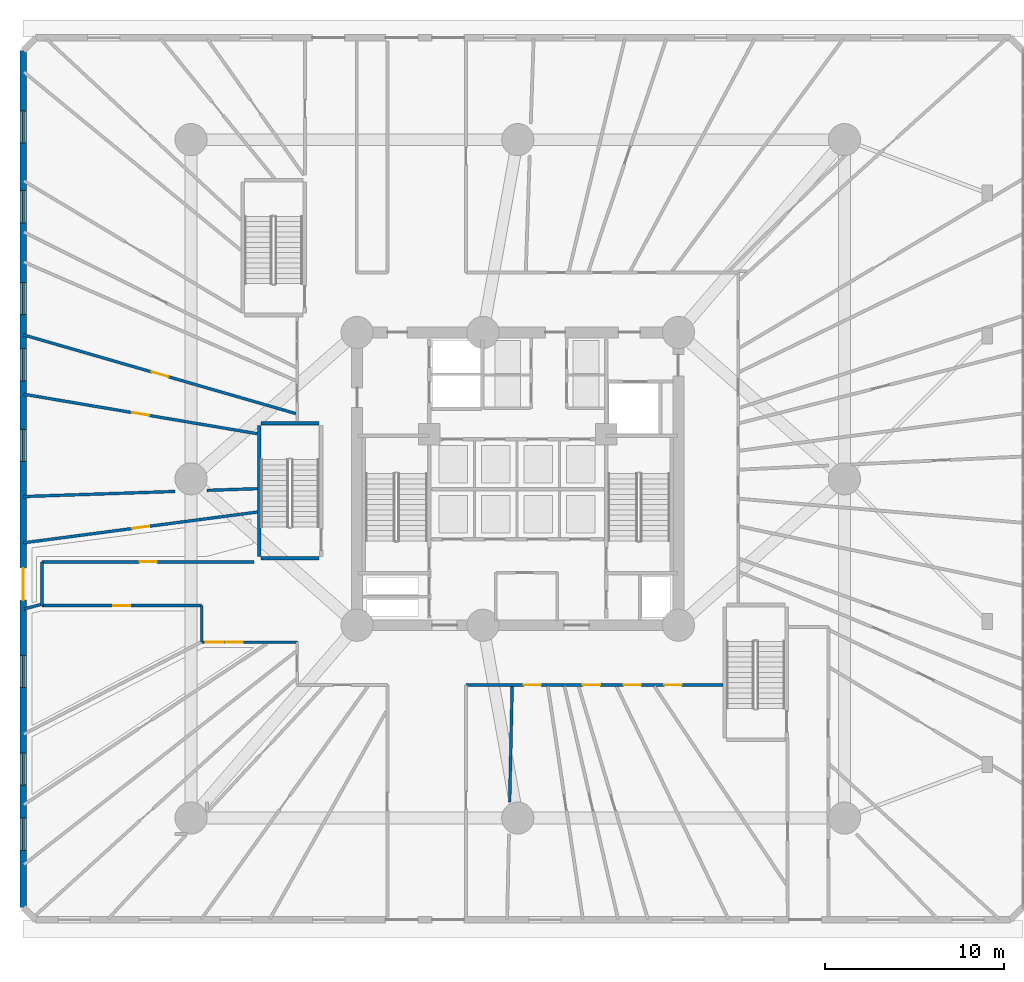
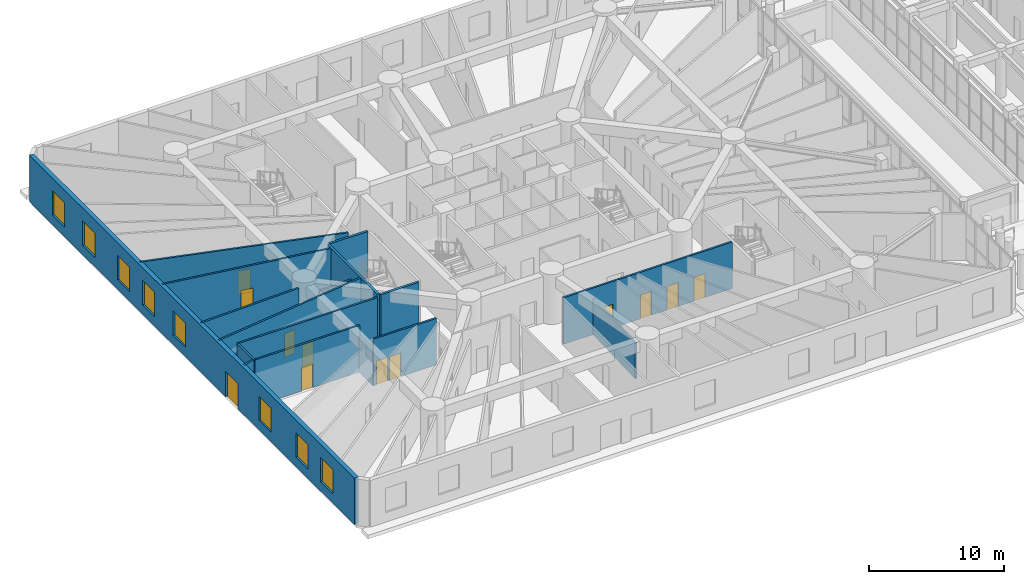
# One storey, part 14 of 30: 17 walls, 12 doors, 8 windows, 20 openings.
"""IFC4 building model written with IfcOpenShell, lengths in metres."""

from ifc_helpers import new_model, si_unit, direction, frame, frame_2d, origin, origin_with_axes, place, context, subcontext, project, spatial, rectangle, extrude, source, transform, mapped, material, layer, layer_set, type_object, element, fill, save


model = new_model("IFC4")

# Units and contexts
model_context = context("Model", 3, precision=1e-05, world=origin(), true_north=direction((0.0, 1.0)))
body_context = subcontext(model_context, "Body", "Model", "MODEL_VIEW")
ifc_project = project(units=[si_unit("LENGTHUNIT", "METRE"), si_unit("AREAUNIT", "SQUARE_METRE"), si_unit("VOLUMEUNIT", "CUBIC_METRE"), si_unit("PLANEANGLEUNIT", "RADIAN"), si_unit("MASSUNIT", "GRAM", prefix="KILO")], contexts=[model_context])

# Site, building, storey
site_placement = place(None, origin())
site = spatial("IfcSite", under=ifc_project, at=site_placement, CompositionType="ELEMENT")
building_placement = place(site_placement, origin())
building = spatial("IfcBuilding", under=site, at=building_placement, Name="Karkom Vertical University and Central Library", CompositionType="ELEMENT")
storey_placement = place(building_placement, origin())
storey = spatial("IfcBuildingStorey", under=building, at=storey_placement, Name="L00", CompositionType="ELEMENT", Elevation=0.0)

# Wall, openings, windows, door
ifc_material_1 = material(Name="Brick masonry 360mm insulated cavity", Category="masonry")
ifc_layer_1 = layer(ifc_material_1, 0.360107421875)
ifc_layer_set_1 = layer_set([ifc_layer_1], Name="Brick masonry 360mm insulated cavity")
wall_type_1 = type_object("IfcWallType", Name="ENV-WL-BRK-360", PredefinedType="SOLIDWALL", material=ifc_layer_set_1)
wall_1_placement = place(storey_placement, frame((0.800048828125, 2.5, 0.0), z_axis=(0.0, 0.0, 1.0), x_axis=(0.0, 1.0, 0.0)))
wall_1 = element("IfcWall", 1, at=wall_1_placement, inside=storey, type_object=wall_type_1, Name="Level 00 POD Terracotta Brick Facade Wall 07", PredefinedType="SOLIDWALL", context=body_context, shape_type="SweptSolid", body=[
    extrude(rectangle(XDim=48.0, YDim=0.360107421875, at=frame_2d((24.0, 0.0))), origin(), (0.0, 0.0, 1.0), 4.199951171875),
])
opening_1_placement = place(wall_1_placement, frame((42.816162109375, 0.0, 0.85009765625)))
opening_1 = element("IfcOpeningElement", 2, at=opening_1_placement, cuts=wall_1, Name="Opening WN-01", PredefinedType="OPENING", context=body_context, shape_type="SweptSolid", body=[
    extrude(rectangle(XDim=1.800048828125, YDim=2.199951171875, at=frame_2d((0.89990234375, 1.10009765625))), frame((0.0, 0.18994140625, 0.0), z_axis=(0.0, -1.0, 0.0), x_axis=(1.0, 0.0, 0.0)), (0.0, 0.0, 1.0), 0.380126953125),
])
opening_2_placement = place(wall_1_placement, frame((38.337890625, 0.0, 0.85009765625)))
opening_2 = element("IfcOpeningElement", 3, at=opening_2_placement, cuts=wall_1, Name="Opening WN-01", PredefinedType="OPENING", context=body_context, shape_type="SweptSolid", body=[
    extrude(rectangle(XDim=1.800048828125, YDim=2.199951171875, at=frame_2d((0.89990234375, 1.10009765625))), frame((0.0, 0.18994140625, 0.0), z_axis=(0.0, -1.0, 0.0), x_axis=(1.0, 0.0, 0.0)), (0.0, 0.0, 1.0), 0.380126953125),
])
opening_3_placement = place(wall_1_placement, frame((33.19384765625, 0.0, 0.85009765625)))
opening_3 = element("IfcOpeningElement", 4, at=opening_3_placement, cuts=wall_1, Name="Opening WN-01", PredefinedType="OPENING", context=body_context, shape_type="SweptSolid", body=[
    extrude(rectangle(XDim=1.800048828125, YDim=2.199951171875, at=frame_2d((0.89990234375, 1.10009765625))), frame((0.0, 0.18994140625, 0.0), z_axis=(0.0, -1.0, 0.0), x_axis=(1.0, 0.0, 0.0)), (0.0, 0.0, 1.0), 0.380126953125),
])
opening_4_placement = place(wall_1_placement, frame((29.491943359375, 0.0, 0.85009765625)))
opening_4 = element("IfcOpeningElement", 5, at=opening_4_placement, cuts=wall_1, Name="Opening WN-01", PredefinedType="OPENING", context=body_context, shape_type="SweptSolid", body=[
    extrude(rectangle(XDim=1.800048828125, YDim=2.199951171875, at=frame_2d((0.89990234375, 1.10009765625))), frame((0.0, 0.18994140625, 0.0), z_axis=(0.0, -1.0, 0.0), x_axis=(1.0, 0.0, 0.0)), (0.0, 0.0, 1.0), 0.380126953125),
])
opening_5_placement = place(wall_1_placement, frame((24.970947265625, 0.0, 0.85009765625)))
opening_5 = element("IfcOpeningElement", 6, at=opening_5_placement, cuts=wall_1, Name="Opening WN-01", PredefinedType="OPENING", context=body_context, shape_type="SweptSolid", body=[
    extrude(rectangle(XDim=1.800048828125, YDim=2.199951171875, at=frame_2d((0.89990234375, 1.10009765625))), frame((0.0, 0.18994140625, 0.0), z_axis=(0.0, -1.0, 0.0), x_axis=(1.0, 0.0, 0.0)), (0.0, 0.0, 1.0), 0.380126953125),
])
opening_6_placement = place(wall_1_placement, frame((12.314697265625, 0.0, 0.85009765625)))
opening_6 = element("IfcOpeningElement", 7, at=opening_6_placement, cuts=wall_1, Name="Opening WN-01", PredefinedType="OPENING", context=body_context, shape_type="SweptSolid", body=[
    extrude(rectangle(XDim=1.800048828125, YDim=2.199951171875, at=frame_2d((0.89990234375, 1.10009765625))), frame((0.0, 0.18994140625, 0.0), z_axis=(0.0, -1.0, 0.0), x_axis=(1.0, 0.0, 0.0)), (0.0, 0.0, 1.0), 0.380126953125),
])
opening_7_placement = place(wall_1_placement, frame((6.840576171875, 0.0, 0.85009765625)))
opening_7 = element("IfcOpeningElement", 8, at=opening_7_placement, cuts=wall_1, Name="Opening WN-01", PredefinedType="OPENING", context=body_context, shape_type="SweptSolid", body=[
    extrude(rectangle(XDim=1.800048828125, YDim=2.199951171875, at=frame_2d((0.89990234375, 1.10009765625))), frame((0.0, 0.18994140625, 0.0), z_axis=(0.0, -1.0, 0.0), x_axis=(1.0, 0.0, 0.0)), (0.0, 0.0, 1.0), 0.380126953125),
])
opening_8_placement = place(wall_1_placement, frame((3.189453125, 0.0, 0.85009765625)))
opening_8 = element("IfcOpeningElement", 9, at=opening_8_placement, cuts=wall_1, Name="Opening WN-01", PredefinedType="OPENING", context=body_context, shape_type="SweptSolid", body=[
    extrude(rectangle(XDim=1.800048828125, YDim=2.199951171875, at=frame_2d((0.89990234375, 1.10009765625))), frame((0.0, 0.18994140625, 0.0), z_axis=(0.0, -1.0, 0.0), x_axis=(1.0, 0.0, 0.0)), (0.0, 0.0, 1.0), 0.380126953125),
])
opening_9_placement = place(wall_1_placement, frame((17.199951171875, 0.0, 0.0)))
opening_9 = element("IfcOpeningElement", 10, at=opening_9_placement, cuts=wall_1, Name="Opening ED-1", PredefinedType="OPENING", context=body_context, shape_type="SweptSolid", body=[
    extrude(rectangle(XDim=1.800048828125, YDim=2.300048828125, at=frame_2d((0.89990234375, 1.14990234375))), frame((0.0, 0.18994140625, 0.0), z_axis=(0.0, -1.0, 0.0), x_axis=(1.0, 0.0, 0.0)), (0.0, 0.0, 1.0), 0.380126953125),
])
ifc_material_2 = material(Name="Aluminium thermal-break frame with solar-control IGU", Category="aluminium")
window_type = type_object("IfcWindowType", Name="ENV-WIN-WN-01", PartitioningType="SINGLE_PANEL", PredefinedType="WINDOW", material=ifc_material_2)
shared_shape_1 = source(origin_with_axes(), body_context, "Body", "SweptSolid", [
    extrude(rectangle(XDim=1.800048828125, YDim=2.199951171875, at=frame_2d((0.89990234375, 1.10009765625))), frame((0.0, 0.030029296875, 0.0), z_axis=(0.0, -1.0, 0.0), x_axis=(1.0, 0.0, 0.0)), (0.0, 0.0, 1.0), 0.06005859375),
])
window_1_placement = place(opening_1_placement, origin())
window_1 = element("IfcWindow", 11, at=window_1_placement, inside=storey, type_object=window_type, Name="Level 00 POD Punched Window 01", OverallHeight=2.199951171875, OverallWidth=1.800048828125, PartitioningType="SINGLE_PANEL", PredefinedType="WINDOW", context=body_context, shape_type="MappedRepresentation", body=[
    mapped(shared_shape_1, transform((0.0, 0.0, 0.0), scale=1.0)),
])
fill(opening_1, window_1)
window_2_placement = place(opening_2_placement, origin())
window_2 = element("IfcWindow", 12, at=window_2_placement, inside=storey, type_object=window_type, Name="Level 00 POD Punched Window 02", OverallHeight=2.199951171875, OverallWidth=1.800048828125, PartitioningType="SINGLE_PANEL", PredefinedType="WINDOW", context=body_context, shape_type="MappedRepresentation", body=[
    mapped(shared_shape_1, transform((0.0, 0.0, 0.0), scale=1.0)),
])
fill(opening_2, window_2)
window_3_placement = place(opening_3_placement, origin())
window_3 = element("IfcWindow", 13, at=window_3_placement, inside=storey, type_object=window_type, Name="Level 00 POD Punched Window 03", OverallHeight=2.199951171875, OverallWidth=1.800048828125, PartitioningType="SINGLE_PANEL", PredefinedType="WINDOW", context=body_context, shape_type="MappedRepresentation", body=[
    mapped(shared_shape_1, transform((0.0, 0.0, 0.0), scale=1.0)),
])
fill(opening_3, window_3)
window_4_placement = place(opening_4_placement, origin())
window_4 = element("IfcWindow", 14, at=window_4_placement, inside=storey, type_object=window_type, Name="Level 00 POD Punched Window 04", OverallHeight=2.199951171875, OverallWidth=1.800048828125, PartitioningType="SINGLE_PANEL", PredefinedType="WINDOW", context=body_context, shape_type="MappedRepresentation", body=[
    mapped(shared_shape_1, transform((0.0, 0.0, 0.0), scale=1.0)),
])
fill(opening_4, window_4)
window_5_placement = place(opening_5_placement, origin())
window_5 = element("IfcWindow", 15, at=window_5_placement, inside=storey, type_object=window_type, Name="Level 00 POD Punched Window 05", OverallHeight=2.199951171875, OverallWidth=1.800048828125, PartitioningType="SINGLE_PANEL", PredefinedType="WINDOW", context=body_context, shape_type="MappedRepresentation", body=[
    mapped(shared_shape_1, transform((0.0, 0.0, 0.0), scale=1.0)),
])
fill(opening_5, window_5)
window_6_placement = place(opening_6_placement, origin())
window_6 = element("IfcWindow", 16, at=window_6_placement, inside=storey, type_object=window_type, Name="Level 00 POD Punched Window 07", OverallHeight=2.199951171875, OverallWidth=1.800048828125, PartitioningType="SINGLE_PANEL", PredefinedType="WINDOW", context=body_context, shape_type="MappedRepresentation", body=[
    mapped(shared_shape_1, transform((0.0, 0.0, 0.0), scale=1.0)),
])
fill(opening_6, window_6)
window_7_placement = place(opening_7_placement, origin())
window_7 = element("IfcWindow", 17, at=window_7_placement, inside=storey, type_object=window_type, Name="Level 00 POD Punched Window 08", OverallHeight=2.199951171875, OverallWidth=1.800048828125, PartitioningType="SINGLE_PANEL", PredefinedType="WINDOW", context=body_context, shape_type="MappedRepresentation", body=[
    mapped(shared_shape_1, transform((0.0, 0.0, 0.0), scale=1.0)),
])
fill(opening_7, window_7)
window_8_placement = place(opening_8_placement, origin())
window_8 = element("IfcWindow", 18, at=window_8_placement, inside=storey, type_object=window_type, Name="Level 00 POD Punched Window 09", OverallHeight=2.199951171875, OverallWidth=1.800048828125, PartitioningType="SINGLE_PANEL", PredefinedType="WINDOW", context=body_context, shape_type="MappedRepresentation", body=[
    mapped(shared_shape_1, transform((0.0, 0.0, 0.0), scale=1.0)),
])
fill(opening_8, window_8)
ifc_material_3 = material(Name="Thermally broken glazed steel exit door", Category="steel")
door_type_1 = type_object("IfcDoorType", Name="ENV-DR-ED1", OperationType="DOUBLE_DOOR_SINGLE_SWING", PredefinedType="DOOR", material=ifc_material_3)
shared_shape_2 = source(origin_with_axes(), body_context, "Body", "SweptSolid", [
    extrude(rectangle(XDim=1.800048828125, YDim=2.300048828125, at=frame_2d((0.89990234375, 1.14990234375))), frame((0.0, 0.02490234375, 0.0), z_axis=(0.0, -1.0, 0.0), x_axis=(1.0, 0.0, 0.0)), (0.0, 0.0, 1.0), 0.050048828125),
])
door_1_placement = place(opening_9_placement, origin())
door_1 = element("IfcDoor", 19, at=door_1_placement, inside=storey, type_object=door_type_1, Name="Level 00 Final Ground Exit Door ED-05", OperationType="DOUBLE_DOOR_SINGLE_SWING", OverallHeight=2.300048828125, OverallWidth=1.800048828125, PredefinedType="DOOR", context=body_context, shape_type="MappedRepresentation", body=[
    mapped(shared_shape_2, transform((0.0, 0.0, 0.0), scale=1.0)),
])
fill(opening_9, door_1)

# Wall, opening, door
ifc_material_4 = material(Name="Insulated metal-stud drywall 160mm", Category="gypsum")
ifc_layer_2 = layer(ifc_material_4, 0.159912109375)
ifc_layer_set_2 = layer_set([ifc_layer_2], Name="Insulated metal-stud drywall 160mm")
wall_type_2 = type_object("IfcWallType", Name="INT-WL-COR-160", PredefinedType="PARTITIONING", material=ifc_layer_set_2)
wall_2_placement = place(storey_placement, frame((16.068115234375, 30.155517578125, 0.0), z_axis=(0.0, 0.0, 1.0), x_axis=(-0.960680893107, 0.277654860608, 0.0)))
wall_2 = element("IfcWall", 20, at=wall_2_placement, inside=storey, type_object=wall_type_2, Name="Level 00 Interior Partition Wall L00-PODW-48-49-1", PredefinedType="PARTITIONING", context=body_context, shape_type="SweptSolid", body=[
    extrude(rectangle(XDim=15.8642578125, YDim=0.159912109375, at=frame_2d((7.93212890625, 0.0))), origin(), (0.0, 0.0, 1.0), 4.199951171875),
])
opening_10_placement = place(wall_2_placement, frame((7.439697265625, 0.0, 0.0)))
opening_10 = element("IfcOpeningElement", 21, at=opening_10_placement, cuts=wall_2, Name="Opening FD-RM2", PredefinedType="OPENING", context=body_context, shape_type="SweptSolid", body=[
    extrude(rectangle(XDim=0.9599609375, YDim=2.14990234375, at=frame_2d((0.47998046875, 1.074951171875))), frame((0.0, 0.08984375, 0.0), z_axis=(0.0, -1.0, 0.0), x_axis=(1.0, 0.0, 0.0)), (0.0, 0.0, 1.0), 0.179931640625),
])
ifc_material_5 = material(Name="Fire-rated oak veneer door", Category="wood")
door_type_2 = type_object("IfcDoorType", Name="INT-DR-FRM2", OperationType="NOTDEFINED", PredefinedType="DOOR", material=ifc_material_5)
shared_shape_3 = source(origin_with_axes(), body_context, "Body", "SweptSolid", [
    extrude(rectangle(XDim=0.9599609375, YDim=2.14990234375, at=frame_2d((0.47998046875, 1.074951171875))), frame((0.0, 0.02490234375, 0.0), z_axis=(0.0, -1.0, 0.0), x_axis=(1.0, 0.0, 0.0)), (0.0, 0.0, 1.0), 0.050048828125),
])
door_2_placement = place(opening_10_placement, origin())
door_2 = element("IfcDoor", 22, at=door_2_placement, inside=storey, type_object=door_type_2, Name="Level 00 Room Entry Door 848", OperationType="SINGLE_SWING_LEFT", OverallHeight=2.14990234375, OverallWidth=0.9599609375, PredefinedType="DOOR", context=body_context, shape_type="MappedRepresentation", body=[
    mapped(shared_shape_3, transform((0.0, 0.0, 0.0), scale=1.0)),
])
fill(opening_10, door_2)

wall_3_placement = place(storey_placement, frame((13.9130859375, 29.02685546875, 0.0), z_axis=(0.0, 0.0, 1.0), x_axis=(-0.986009968188, 0.166686360073, 0.0)))
wall_3 = element("IfcWall", 23, at=wall_3_placement, inside=storey, type_object=wall_type_2, Name="Level 00 Interior Partition Wall L00-PODW-49-50-1", PredefinedType="PARTITIONING", context=body_context, shape_type="SweptSolid", body=[
    extrude(rectangle(XDim=13.27294921875, YDim=0.159912109375, at=frame_2d((6.636474609375, 0.0))), origin(), (0.0, 0.0, 1.0), 4.199951171875),
])
opening_11_placement = place(wall_3_placement, frame((6.143798828125, 0.0, 0.0)))
opening_11 = element("IfcOpeningElement", 24, at=opening_11_placement, cuts=wall_3, Name="Opening FD-RM2", PredefinedType="OPENING", context=body_context, shape_type="SweptSolid", body=[
    extrude(rectangle(XDim=0.9599609375, YDim=2.14990234375, at=frame_2d((0.47998046875, 1.074951171875))), frame((0.0, 0.08984375, 0.0), z_axis=(0.0, -1.0, 0.0), x_axis=(1.0, 0.0, 0.0)), (0.0, 0.0, 1.0), 0.179931640625),
])
door_3_placement = place(opening_11_placement, origin())
door_3 = element("IfcDoor", 25, at=door_3_placement, inside=storey, type_object=door_type_2, Name="Level 00 Room Entry Door 849", OperationType="SINGLE_SWING_RIGHT", OverallHeight=2.14990234375, OverallWidth=0.9599609375, PredefinedType="DOOR", context=body_context, shape_type="MappedRepresentation", body=[
    mapped(shared_shape_3, transform((0.0, 0.0, 0.0), scale=1.0)),
])
fill(opening_11, door_3)

wall_4_placement = place(storey_placement, frame((13.9130859375, 24.64013671875, 0.0), z_axis=(0.0, 0.0, 1.0), x_axis=(-0.991443338572, -0.130537758528, 0.0)))
wall_4 = element("IfcWall", 26, at=wall_4_placement, inside=storey, type_object=wall_type_2, Name="Level 00 Interior Partition Wall L00-PODW-01-02-1", PredefinedType="PARTITIONING", context=body_context, shape_type="SweptSolid", body=[
    extrude(rectangle(XDim=13.200439453125, YDim=0.159912109375, at=frame_2d((6.60009765625, 0.0))), origin(), (0.0, 0.0, 1.0), 4.199951171875),
])
opening_12_placement = place(wall_4_placement, frame((6.107666015625, 0.0, 0.0)))
opening_12 = element("IfcOpeningElement", 27, at=opening_12_placement, cuts=wall_4, Name="Opening FD-RM1", PredefinedType="OPENING", context=body_context, shape_type="SweptSolid", body=[
    extrude(rectangle(XDim=0.9599609375, YDim=2.14990234375, at=frame_2d((0.47998046875, 1.074951171875))), frame((0.0, 0.08984375, 0.0), z_axis=(0.0, -1.0, 0.0), x_axis=(1.0, 0.0, 0.0)), (0.0, 0.0, 1.0), 0.179931640625),
])
door_type_3 = type_object("IfcDoorType", Name="INT-DR-FRM1", OperationType="NOTDEFINED", PredefinedType="DOOR", material=ifc_material_5)
door_4_placement = place(opening_12_placement, origin())
door_4 = element("IfcDoor", 28, at=door_4_placement, inside=storey, type_object=door_type_3, Name="Level 00 Room Entry Door 800", OperationType="SINGLE_SWING_RIGHT", OverallHeight=2.14990234375, OverallWidth=0.9599609375, PredefinedType="DOOR", context=body_context, shape_type="MappedRepresentation", body=[
    mapped(shared_shape_3, transform((0.0, 0.0, 0.0), scale=1.0)),
])
fill(opening_12, door_4)

# Walls
wall_5_placement = place(storey_placement, frame((0.824951171875, 25.507568359375, 0.0), z_axis=(0.0, 0.0, 1.0), x_axis=(0.999432873897, 0.033673885638, 0.0)))
element("IfcWall", 29, at=wall_5_placement, inside=storey, type_object=wall_type_2, Name="Level 00 Interior Partition Wall L00-PODW-01-50-1", PredefinedType="PARTITIONING", context=body_context, shape_type="SweptSolid", body=[
    extrude(rectangle(XDim=8.489990234375, YDim=0.159912109375, at=frame_2d((4.2451171875, 0.0))), origin(), (0.0, 0.0, 1.0), 4.199951171875),
])
wall_6_placement = place(storey_placement, frame((28.1875, 14.867919921875, 0.0), z_axis=(0.0, 0.0, 1.0), x_axis=(-0.021740545111, -0.999763646418, 0.0)))
element("IfcWall", 30, at=wall_6_placement, inside=storey, type_object=wall_type_2, Name="Level 00 Interior Partition Wall L00-PODW-11-12-1", PredefinedType="PARTITIONING", context=body_context, shape_type="SweptSolid", body=[
    extrude(rectangle(XDim=6.4794921875, YDim=0.159912109375, at=frame_2d((3.23974609375, 0.0))), origin(), (0.0, 0.0, 1.0), 3.25),
])
wall_7_placement = place(storey_placement, frame((11.090087890625, 25.853515625, 0.0), z_axis=(0.0, 0.0, 1.0), x_axis=(0.999434594921, 0.033622767225, 0.0)))
element("IfcWall", 31, at=wall_7_placement, inside=storey, type_object=wall_type_2, Name="Level 00 Interior Partition Wall L00-PODW-01-50-2", PredefinedType="PARTITIONING", context=body_context, shape_type="SweptSolid", body=[
    extrude(rectangle(XDim=2.82470703125, YDim=0.159912109375, at=frame_2d((1.412353515625, 0.0))), origin(), (0.0, 0.0, 1.0), 3.25),
])
wall_8_placement = place(storey_placement, frame((1.76806640625, 19.4560546875, 0.0), z_axis=(0.0, 0.0, 1.0), x_axis=(-0.966407427341, -0.257014949721, 0.0)))
element("IfcWall", 32, at=wall_8_placement, inside=storey, type_object=wall_type_2, Name="Level 00 Interior Partition Wall L00-PODW-02-03-1", PredefinedType="PARTITIONING", context=body_context, shape_type="SweptSolid", body=[
    extrude(rectangle(XDim=0.9384765625, YDim=0.159912109375, at=frame_2d((0.46923828125, 0.0))), origin(), (0.0, 0.0, 1.0), 4.199951171875),
])

# Wall, openings, doors
ifc_layer_3 = layer(ifc_material_4, 0.159912109375)
ifc_layer_set_3 = layer_set([ifc_layer_3], Name="Insulated metal-stud drywall 160mm")
wall_type_3 = type_object("IfcWallType", Name="INT-WL-COR-160F", PredefinedType="PARTITIONING", material=ifc_layer_set_3)
wall_9_placement = place(storey_placement, frame((39.988037109375, 14.949951171875, 0.0), z_axis=(0.0, 0.0, 1.0), x_axis=(-1.0, 0.0, 0.0)))
wall_9 = element("IfcWall", 33, at=wall_9_placement, inside=storey, type_object=wall_type_3, Name="Level 00 Interior Partition Wall L00-PDCW-CW-010", PredefinedType="PARTITIONING", context=body_context, shape_type="SweptSolid", body=[
    extrude(rectangle(XDim=14.387939453125, YDim=0.159912109375, at=frame_2d((7.19384765625, 0.0))), origin(), (0.0, 0.0, 1.0), 4.199951171875),
])
opening_13_placement = place(wall_9_placement, frame((10.18994140625, 0.0, 0.0)))
opening_13 = element("IfcOpeningElement", 34, at=opening_13_placement, cuts=wall_9, Name="Opening FD-RM2", PredefinedType="OPENING", context=body_context, shape_type="SweptSolid", body=[
    extrude(rectangle(XDim=0.9599609375, YDim=2.14990234375, at=frame_2d((0.47998046875, 1.074951171875))), frame((0.0, 0.08984375, 0.0), z_axis=(0.0, -1.0, 0.0), x_axis=(1.0, 0.0, 0.0)), (0.0, 0.0, 1.0), 0.179931640625),
])
opening_14_placement = place(wall_9_placement, frame((6.8779296875, 0.0, 0.0)))
opening_14 = element("IfcOpeningElement", 35, at=opening_14_placement, cuts=wall_9, Name="Opening FD-RM2", PredefinedType="OPENING", context=body_context, shape_type="SweptSolid", body=[
    extrude(rectangle(XDim=0.9599609375, YDim=2.14990234375, at=frame_2d((0.47998046875, 1.074951171875))), frame((0.0, 0.08984375, 0.0), z_axis=(0.0, -1.0, 0.0), x_axis=(1.0, 0.0, 0.0)), (0.0, 0.0, 1.0), 0.179931640625),
])
opening_15_placement = place(wall_9_placement, frame((4.594970703125, 0.0, 0.0)))
opening_15 = element("IfcOpeningElement", 36, at=opening_15_placement, cuts=wall_9, Name="Opening FD-RM2", PredefinedType="OPENING", context=body_context, shape_type="SweptSolid", body=[
    extrude(rectangle(XDim=0.9599609375, YDim=2.14990234375, at=frame_2d((0.47998046875, 1.074951171875))), frame((0.0, 0.08984375, 0.0), z_axis=(0.0, -1.0, 0.0), x_axis=(1.0, 0.0, 0.0)), (0.0, 0.0, 1.0), 0.179931640625),
])
opening_16_placement = place(wall_9_placement, frame((2.31201171875, 0.0, 0.0)))
opening_16 = element("IfcOpeningElement", 37, at=opening_16_placement, cuts=wall_9, Name="Opening FD-RM2", PredefinedType="OPENING", context=body_context, shape_type="SweptSolid", body=[
    extrude(rectangle(XDim=0.9599609375, YDim=2.14990234375, at=frame_2d((0.47998046875, 1.074951171875))), frame((0.0, 0.08984375, 0.0), z_axis=(0.0, -1.0, 0.0), x_axis=(1.0, 0.0, 0.0)), (0.0, 0.0, 1.0), 0.179931640625),
])
door_5_placement = place(opening_13_placement, origin())
door_5 = element("IfcDoor", 38, at=door_5_placement, inside=storey, type_object=door_type_2, Name="Level 00 Room Entry Door 811", OperationType="SINGLE_SWING_RIGHT", OverallHeight=2.14990234375, OverallWidth=0.9599609375, PredefinedType="DOOR", context=body_context, shape_type="MappedRepresentation", body=[
    mapped(shared_shape_3, transform((0.0, 0.0, 0.0), scale=1.0)),
])
fill(opening_13, door_5)
door_6_placement = place(opening_14_placement, origin())
door_6 = element("IfcDoor", 39, at=door_6_placement, inside=storey, type_object=door_type_2, Name="Level 00 Room Entry Door 812", OperationType="SINGLE_SWING_LEFT", OverallHeight=2.14990234375, OverallWidth=0.9599609375, PredefinedType="DOOR", context=body_context, shape_type="MappedRepresentation", body=[
    mapped(shared_shape_3, transform((0.0, 0.0, 0.0), scale=1.0)),
])
fill(opening_14, door_6)
door_7_placement = place(opening_15_placement, origin())
door_7 = element("IfcDoor", 40, at=door_7_placement, inside=storey, type_object=door_type_2, Name="Level 00 Room Entry Door 814", OperationType="SINGLE_SWING_LEFT", OverallHeight=2.14990234375, OverallWidth=0.9599609375, PredefinedType="DOOR", context=body_context, shape_type="MappedRepresentation", body=[
    mapped(shared_shape_3, transform((0.0, 0.0, 0.0), scale=1.0)),
])
fill(opening_15, door_7)
door_8_placement = place(opening_16_placement, origin())
door_8 = element("IfcDoor", 41, at=door_8_placement, inside=storey, type_object=door_type_2, Name="Level 00 Room Entry Door 815", OperationType="SINGLE_SWING_RIGHT", OverallHeight=2.14990234375, OverallWidth=0.9599609375, PredefinedType="DOOR", context=body_context, shape_type="MappedRepresentation", body=[
    mapped(shared_shape_3, transform((0.0, 0.0, 0.0), scale=1.0)),
])
fill(opening_16, door_8)

# Wall, opening, door
wall_10_placement = place(storey_placement, frame((1.85009765625, 21.85009765625, 0.0), z_axis=(0.0, 0.0, 1.0), x_axis=(1.0, 0.0, 0.0)))
wall_10 = element("IfcWall", 42, at=wall_10_placement, inside=storey, type_object=wall_type_3, Name="Level 00 Interior Partition Wall L00-PDCW-CW-001", PredefinedType="PARTITIONING", context=body_context, shape_type="SweptSolid", body=[
    extrude(rectangle(XDim=11.889892578125, YDim=0.159912109375, at=frame_2d((5.94482421875, 0.0))), origin(), (0.0, 0.0, 1.0), 4.199951171875),
])
opening_17_placement = place(wall_10_placement, frame((5.469970703125, 0.0, 0.0)))
opening_17 = element("IfcOpeningElement", 43, at=opening_17_placement, cuts=wall_10, Name="Opening FD-RM2", PredefinedType="OPENING", context=body_context, shape_type="SweptSolid", body=[
    extrude(rectangle(XDim=0.9599609375, YDim=2.14990234375, at=frame_2d((0.47998046875, 1.074951171875))), frame((0.0, 0.08984375, 0.0), z_axis=(0.0, -1.0, 0.0), x_axis=(1.0, 0.0, 0.0)), (0.0, 0.0, 1.0), 0.179931640625),
])
door_9_placement = place(opening_17_placement, origin())
door_9 = element("IfcDoor", 44, at=door_9_placement, inside=storey, type_object=door_type_2, Name="Level 00 Room Entry Door 801", OperationType="SINGLE_SWING_LEFT", OverallHeight=2.14990234375, OverallWidth=0.9599609375, PredefinedType="DOOR", context=body_context, shape_type="MappedRepresentation", body=[
    mapped(shared_shape_3, transform((0.0, 0.0, 0.0), scale=1.0)),
])
fill(opening_17, door_9)

wall_11_placement = place(storey_placement, frame((10.800048828125, 19.39990234375, 0.0), z_axis=(0.0, 0.0, 1.0), x_axis=(-1.0, 0.0, 0.0)))
wall_11 = element("IfcWall", 45, at=wall_11_placement, inside=storey, type_object=wall_type_3, Name="Level 00 Interior Partition Wall L00-PDCW-CW-017", PredefinedType="PARTITIONING", context=body_context, shape_type="SweptSolid", body=[
    extrude(rectangle(XDim=8.949951171875, YDim=0.159912109375, at=frame_2d((4.47509765625, 0.0))), origin(), (0.0, 0.0, 1.0), 4.199951171875),
])
opening_18_placement = place(wall_11_placement, frame((4.0, 0.0, 0.0)))
opening_18 = element("IfcOpeningElement", 46, at=opening_18_placement, cuts=wall_11, Name="Opening FD-RM2", PredefinedType="OPENING", context=body_context, shape_type="SweptSolid", body=[
    extrude(rectangle(XDim=0.9599609375, YDim=2.14990234375, at=frame_2d((0.47998046875, 1.074951171875))), frame((0.0, 0.08984375, 0.0), z_axis=(0.0, -1.0, 0.0), x_axis=(1.0, 0.0, 0.0)), (0.0, 0.0, 1.0), 0.179931640625),
])
door_10_placement = place(opening_18_placement, origin())
door_10 = element("IfcDoor", 47, at=door_10_placement, inside=storey, type_object=door_type_2, Name="Level 00 Room Entry Door 802", OperationType="SINGLE_SWING_RIGHT", OverallHeight=2.14990234375, OverallWidth=0.9599609375, PredefinedType="DOOR", context=body_context, shape_type="MappedRepresentation", body=[
    mapped(shared_shape_3, transform((0.0, 0.0, 0.0), scale=1.0)),
])
fill(opening_18, door_10)

# Wall, openings, doors
wall_12_placement = place(storey_placement, frame((16.14990234375, 17.35009765625, 0.0), z_axis=(0.0, 0.0, 1.0), x_axis=(-1.0, 0.0, 0.0)))
wall_12 = element("IfcWall", 48, at=wall_12_placement, inside=storey, type_object=wall_type_3, Name="Level 00 Interior Partition Wall L00-PDCW-CW-015", PredefinedType="PARTITIONING", context=body_context, shape_type="SweptSolid", body=[
    extrude(rectangle(XDim=5.349853515625, YDim=0.159912109375, at=frame_2d((2.6748046875, 0.0))), origin(), (0.0, 0.0, 1.0), 4.199951171875),
])
opening_19_placement = place(wall_12_placement, frame((3.0400390625, 0.0, 0.0)))
opening_19 = element("IfcOpeningElement", 49, at=opening_19_placement, cuts=wall_12, Name="Opening FD-RM2", PredefinedType="OPENING", context=body_context, shape_type="SweptSolid", body=[
    extrude(rectangle(XDim=0.9599609375, YDim=2.14990234375, at=frame_2d((0.47998046875, 1.074951171875))), frame((0.0, 0.08984375, 0.0), z_axis=(0.0, -1.0, 0.0), x_axis=(1.0, 0.0, 0.0)), (0.0, 0.0, 1.0), 0.179931640625),
])
opening_20_placement = place(wall_12_placement, frame((4.152587890625, 0.0, 0.0)))
opening_20 = element("IfcOpeningElement", 50, at=opening_20_placement, cuts=wall_12, Name="Opening FD-RM2", PredefinedType="OPENING", context=body_context, shape_type="SweptSolid", body=[
    extrude(rectangle(XDim=0.9599609375, YDim=2.14990234375, at=frame_2d((0.47998046875, 1.074951171875))), frame((0.0, 0.08984375, 0.0), z_axis=(0.0, -1.0, 0.0), x_axis=(1.0, 0.0, 0.0)), (0.0, 0.0, 1.0), 0.179931640625),
])
door_11_placement = place(opening_19_placement, origin())
door_11 = element("IfcDoor", 51, at=door_11_placement, inside=storey, type_object=door_type_2, Name="Level 00 Room Entry Door 803", OperationType="SINGLE_SWING_LEFT", OverallHeight=2.14990234375, OverallWidth=0.9599609375, PredefinedType="DOOR", context=body_context, shape_type="MappedRepresentation", body=[
    mapped(shared_shape_3, transform((0.0, 0.0, 0.0), scale=1.0)),
])
fill(opening_19, door_11)
door_12_placement = place(opening_20_placement, origin())
door_12 = element("IfcDoor", 52, at=door_12_placement, inside=storey, type_object=door_type_2, Name="Level 00 Room Entry Door 804", OperationType="SINGLE_SWING_RIGHT", OverallHeight=2.14990234375, OverallWidth=0.9599609375, PredefinedType="DOOR", context=body_context, shape_type="MappedRepresentation", body=[
    mapped(shared_shape_3, transform((0.0, 0.0, 0.0), scale=1.0)),
])
fill(opening_20, door_12)

# Walls
wall_13_placement = place(storey_placement, frame((1.85009765625, 19.39990234375, 0.0), z_axis=(0.0, 0.0, 1.0), x_axis=(0.0, 1.0, 0.0)))
element("IfcWall", 53, at=wall_13_placement, inside=storey, type_object=wall_type_3, Name="Level 00 Interior Partition Wall L00-PDCW-CW-018", PredefinedType="PARTITIONING", context=body_context, shape_type="SweptSolid", body=[
    extrude(rectangle(XDim=2.4501953125, YDim=0.159912109375, at=frame_2d((1.22509765625, 0.0))), origin(), (0.0, 0.0, 1.0), 4.199951171875),
])
wall_14_placement = place(storey_placement, frame((10.800048828125, 17.35009765625, 0.0), z_axis=(0.0, 0.0, 1.0), x_axis=(0.0, 1.0, 0.0)))
element("IfcWall", 54, at=wall_14_placement, inside=storey, type_object=wall_type_3, Name="Level 00 Interior Partition Wall L00-PDCW-CW-016", PredefinedType="PARTITIONING", context=body_context, shape_type="SweptSolid", body=[
    extrude(rectangle(XDim=2.0498046875, YDim=0.159912109375, at=frame_2d((1.02490234375, 0.0))), origin(), (0.0, 0.0, 1.0), 3.25),
])
ifc_material_6 = material(Name="Concrete C45/55", Category="concrete")
ifc_layer_4 = layer(ifc_material_6, 0.199951171875)
ifc_layer_set_4 = layer_set([ifc_layer_4], Name="Concrete C45/55")
wall_type_4 = type_object("IfcWallType", Name="STR-WL-ST-200", PredefinedType="SHEAR", material=ifc_layer_set_4)
wall_15_placement = place(storey_placement, frame((14.014892578125, 22.14990234375, 0.0), z_axis=(0.0, 0.0, 1.0), x_axis=(0.0, 1.0, 0.0)))
element("IfcWall", 55, at=wall_15_placement, inside=storey, type_object=wall_type_4, Name="Level 00 Core Shaft Wall L00-W-ST3-W", PredefinedType="SHEAR", context=body_context, shape_type="SweptSolid", body=[
    extrude(rectangle(XDim=7.35009765625, YDim=0.199951171875, at=frame_2d((3.675048828125, 0.0))), origin(), (0.0, 0.0, 1.0), 4.199951171875),
])
for number, where, z_axis, x_axis, name in (
    (56, (14.1201171875, 22.044921875, 0.0), (0.0, 0.0, 1.0), (1.0, 0.0, 0.0), "Level 00 Core Shaft Wall L00-W-ST3-S"),
    (57, (14.1201171875, 29.60498046875, 0.0), (0.0, 0.0, 1.0), (1.0, 0.0, 0.0), "Level 00 Core Shaft Wall L00-W-ST3-N"),
):
    element("IfcWall", number, at=place(storey_placement, frame(where, z_axis=z_axis, x_axis=x_axis)), inside=storey, type_object=wall_type_4, Name=name, PredefinedType="SHEAR", context=body_context, shape_type="SweptSolid", body=[
        extrude(rectangle(XDim=3.259765625, YDim=0.199951171875, at=frame_2d((1.6298828125, 0.0))), origin(), (0.0, 0.0, 1.0), 4.199951171875),
    ])

save(model, "model.ifc")
